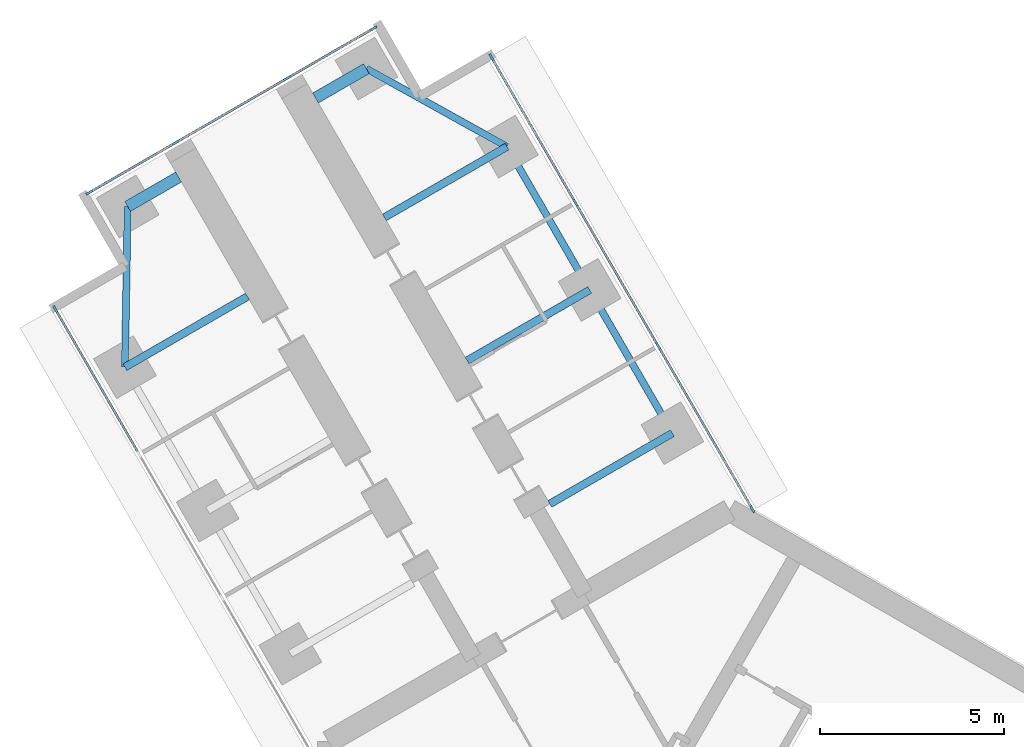
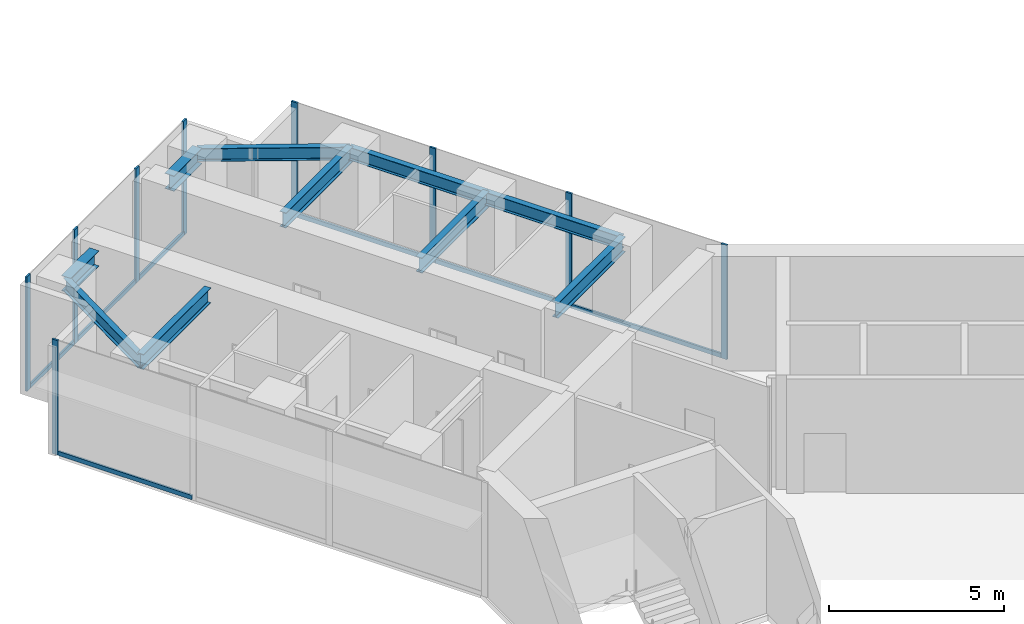
# One storey, part 6 of 23: 16 members, 10 beams, 3 elements without a shape of their own.
"""IFC4 building model written with IfcOpenShell, lengths in metres."""

import ifcopenshell
import ifcopenshell.guid

model = None  # the IFC model being written
_history = None  # IfcOwnerHistory: only IFC2X3 demands one
_inside = {}  # id of a spatial element -> (the spatial element, [elements in it])
_under = {}  # id of a project, library or spatial element -> (it, [spatial elements below it])
_declared = {}  # id of a project -> (the project, [libraries it declares])
_typed = {}  # id of a type object -> (the type object, [elements of that type])
_made_of = {}  # id of a material, layer set ... -> (it, [elements and type objects made of it])


def new_model(schema):
    """Start an empty IFC model of exactly this schema.

    Asked for "IFC4X3", IfcOpenShell would pick the latest addendum, in which some entities
    have other attributes; the version numbers below select the first issue.
    IFC2X3 requires an IfcOwnerHistory on every rooted entity: one is made here for all.
    """
    global model, _history
    if schema == "IFC4X3":
        model = ifcopenshell.file(schema_version=(4, 3, 0, 0))
    else:
        model = ifcopenshell.file(schema=schema)
    _inside.clear()
    _under.clear()
    _declared.clear()
    _typed.clear()
    _made_of.clear()
    _history = None
    if model.schema == "IFC2X3":
        org = make("IfcOrganization", Name="unknown")
        user = make(
            "IfcPersonAndOrganization",
            ThePerson=make("IfcPerson", FamilyName="unknown"),
            TheOrganization=org,
        )
        app = make(
            "IfcApplication",
            ApplicationDeveloper=org,
            Version="unknown",
            ApplicationFullName="unknown",
            ApplicationIdentifier="unknown",
        )
        _history = make(
            "IfcOwnerHistory",
            OwningUser=user,
            OwningApplication=app,
            ChangeAction="ADDED",
            CreationDate=0,
        )
    return model


def make(cls, **values):
    """One entity of the class cls with the attributes given. An attribute that is None is left unset."""
    return model.create_entity(
        cls, **{name: value for name, value in values.items() if value is not None}
    )


def rooted(cls, **values):
    """An entity with a GlobalId (a new one), such as an element, a storey or a relation."""
    return make(cls, GlobalId=ifcopenshell.guid.new(), OwnerHistory=_history, **values)


def si_unit(unit_type, name, prefix=None):
    """IfcSIUnit, for example si_unit("LENGTHUNIT", "METRE", prefix="MILLI")."""
    return make("IfcSIUnit", UnitType=unit_type, Prefix=prefix, Name=name)


def assignment(units):
    """IfcUnitAssignment: the units of a project."""
    return None if units is None else make("IfcUnitAssignment", Units=units)


def point(xyz):
    """IfcCartesianPoint."""
    return None if xyz is None else make("IfcCartesianPoint", Coordinates=xyz)


def direction(xyz):
    """IfcDirection."""
    return None if xyz is None else make("IfcDirection", DirectionRatios=xyz)


def frame(location, z_axis=None, x_axis=None):
    """IfcAxis2Placement3D, a coordinate frame: its origin and axes. An axis left out is left unset."""
    return make(
        "IfcAxis2Placement3D",
        Location=point(location),
        Axis=direction(z_axis),
        RefDirection=direction(x_axis),
    )


def frame_2d(location, x_axis=None):
    """IfcAxis2Placement2D, a coordinate frame in the plane: its origin and x axis."""
    return make(
        "IfcAxis2Placement2D", Location=point(location), RefDirection=direction(x_axis)
    )


def origin():
    """The frame at (0, 0, 0) with its axes left unset."""
    return frame((0.0, 0.0, 0.0))


def origin_2d():
    """The frame at (0, 0) in the plane with its x axis left unset."""
    return frame_2d((0.0, 0.0))


def place(relative_to, where):
    """IfcLocalPlacement: puts the frame where relative to a parent placement (None: the world)."""
    return make(
        "IfcLocalPlacement", PlacementRelTo=relative_to, RelativePlacement=where
    )


def context(
    kind, dimensions, precision=None, world=None, true_north=None, identifier=None
):
    """IfcGeometricRepresentationContext, for example the 3D "Model" context."""
    return make(
        "IfcGeometricRepresentationContext",
        ContextIdentifier=identifier,
        ContextType=kind,
        CoordinateSpaceDimension=dimensions,
        Precision=precision,
        WorldCoordinateSystem=world,
        TrueNorth=true_north,
    )


def subcontext(parent, identifier, kind, view, scale=None):
    """IfcGeometricRepresentationSubContext, for example "Body" below "Model"."""
    return make(
        "IfcGeometricRepresentationSubContext",
        ContextIdentifier=identifier,
        ContextType=kind,
        ParentContext=parent,
        TargetScale=scale,
        TargetView=view,
    )


def project(units=None, contexts=None):
    """IfcProject with its units and contexts."""
    return rooted(
        "IfcProject",
        Name="project",
        RepresentationContexts=contexts,
        UnitsInContext=assignment(units),
    )


def spatial(cls, under=None, at=None, **own):
    """A site, building, storey or space (cls), placed at a placement, below another one or the project."""
    s = rooted(cls, ObjectPlacement=at, **own)
    if under is not None:
        _under.setdefault(under.id(), (under, []))[1].append(s)
    return s


def profile(cls, at=None, kind="AREA", **sizes):
    """A parametric profile (cls). Its sizes go by their IFC names, for example OverallWidth=200.0."""
    return make(cls, ProfileType=kind, Position=at, **sizes)


def rectangle(**sizes):
    """IfcRectangleProfileDef."""
    return profile("IfcRectangleProfileDef", **sizes)


def i_section(**sizes):
    """IfcIShapeProfileDef."""
    return profile("IfcIShapeProfileDef", **sizes)


def extrude(swept, where, along, depth):
    """IfcExtrudedAreaSolid: the profile swept, set in the frame where, extruded along a direction by depth."""
    return make(
        "IfcExtrudedAreaSolid",
        SweptArea=swept,
        Position=where,
        ExtrudedDirection=direction(along),
        Depth=depth,
    )


def shape(context_of_items, identifier, shape_type, items):
    """IfcShapeRepresentation: the items that make up one representation, for example the "Body"."""
    return make(
        "IfcShapeRepresentation",
        ContextOfItems=context_of_items,
        RepresentationIdentifier=identifier,
        RepresentationType=shape_type,
        Items=items,
    )


def material(Name=None, Category=None):
    """IfcMaterial."""
    return make("IfcMaterial", Name=Name, Category=Category)


def material_profile(
    of_material, cross_section, Name=None, Category=None, Priority=None
):
    """IfcMaterialProfile: a cross section and its material."""
    return make(
        "IfcMaterialProfile",
        Name=Name,
        Material=of_material,
        Profile=cross_section,
        Priority=Priority,
        Category=Category,
    )


def profile_set(profiles, Name=None, composite=None):
    """IfcMaterialProfileSet."""
    return make(
        "IfcMaterialProfileSet",
        Name=Name,
        MaterialProfiles=profiles,
        CompositeProfile=composite,
    )


def made_of(thing, what):
    """Note that an element or type object is made of a material, layer set ...; save() writes the relation."""
    if what is not None:
        _made_of.setdefault(what.id(), (what, []))[1].append(thing)
    return thing


def type_object(cls, material=None, **own):
    """A type object (cls), such as IfcWallType, which elements share."""
    return made_of(rooted(cls, **own), material)


def element(
    cls,
    number,
    at=None,
    inside=None,
    cuts=None,
    type_object=None,
    material=None,
    context=None,
    identifier="Body",
    shape_type=None,
    held_by="IfcProductDefinitionShape",
    body=None,
    shapes=None,
    **own,
):
    """One element of the class cls, such as IfcWall. Its Tag is "e" and its number.

    at: its placement. inside: the storey or other place that contains it. cuts: it is an
    opening in that element (IfcRelVoidsElement). A single representation is given by context,
    identifier, shape_type and body (its items); several are given by shapes. held_by: the class
    of the entity that holds the representations. save() writes the other relations.
    """
    e = rooted(cls, Tag="e%d" % number, ObjectPlacement=at, **own)
    if body is not None:
        shapes = [shape(context, identifier, shape_type, body)]
    if shapes is not None:
        e.Representation = make(held_by, Representations=shapes)
    if inside is not None:
        _inside.setdefault(inside.id(), (inside, []))[1].append(e)
    if cuts is not None:
        rooted(
            "IfcRelVoidsElement", RelatingBuildingElement=cuts, RelatedOpeningElement=e
        )
    if type_object is not None:
        _typed.setdefault(type_object.id(), (type_object, []))[1].append(e)
    return made_of(e, material)


def aggregate(whole, parts):
    """IfcRelAggregates: a whole, such as a stair, and the parts it consists of."""
    return rooted("IfcRelAggregates", RelatingObject=whole, RelatedObjects=parts)


def save(model, path):
    """Write the relations noted so far, then the file.

    IfcRelAggregates (storeys below a building ...), IfcRelContainedInSpatialStructure (elements
    in a storey), IfcRelDefinesByType, IfcRelAssociatesMaterial and IfcRelDeclares: one each for
    every whole, place, type object, material and project.
    """
    for whole, parts in _under.values():
        aggregate(whole, parts)
    for where, things in _inside.values():
        rooted(
            "IfcRelContainedInSpatialStructure",
            RelatedElements=things,
            RelatingStructure=where,
        )
    for kind, things in _typed.values():
        rooted("IfcRelDefinesByType", RelatedObjects=things, RelatingType=kind)
    for what, things in _made_of.values():
        rooted("IfcRelAssociatesMaterial", RelatedObjects=things, RelatingMaterial=what)
    for by, libraries in _declared.values():
        rooted("IfcRelDeclares", RelatingContext=by, RelatedDefinitions=libraries)
    model.write(path)


model = new_model("IFC4")

# Units and contexts
model_context = context("Model", 3, precision=1e-05, world=origin(), true_north=direction((0.0, 1.0)))
body_context = subcontext(model_context, "Body", "Model", "MODEL_VIEW")
ifc_project = project(units=[si_unit("LENGTHUNIT", "METRE"), si_unit("AREAUNIT", "SQUARE_METRE"), si_unit("VOLUMEUNIT", "CUBIC_METRE"), si_unit("PLANEANGLEUNIT", "RADIAN"), si_unit("MASSUNIT", "GRAM", prefix="KILO")], contexts=[model_context])

# Site, building, storey
site_placement = place(None, origin())
site = spatial("IfcSite", under=ifc_project, at=site_placement, CompositionType="ELEMENT")
building_placement = place(site_placement, origin())
building = spatial("IfcBuilding", under=site, at=building_placement, Name="Upepo Twin Towers", CompositionType="ELEMENT")
storey_placement = place(building_placement, frame((0.0, 0.0, 145.5)))
storey = spatial("IfcBuildingStorey", under=building, at=storey_placement, Name="L35", CompositionType="ELEMENT", Elevation=145.5)

# Beams
ifc_material_1 = material(Name="Steel S355", Category="steel")
ifc_material_profile_1 = material_profile(ifc_material_1, i_section(OverallWidth=0.1904296875, OverallDepth=0.45703125, WebThickness=0.009033203125, FlangeThickness=0.014404296875, FilletRadius=0.01025390625, at=origin_2d()), Name="UB 457x191x74")
ifc_profile_set_1 = profile_set([ifc_material_profile_1], Name="Steel S355")
beam_type_1 = type_object("IfcBeamType", Name="Beam UB 457x191x74", PredefinedType="BEAM", material=ifc_profile_set_1)
beam_1_placement = place(storey_placement, frame((-16.446044921875, 16.485595703125, 3.571533203125), z_axis=(0.016803880528, 0.999858804832, 0.0), x_axis=(-0.999858804832, 0.016803880528, 0.0)))
element("IfcBeam", 1, at=beam_1_placement, inside=storey, type_object=beam_type_1, Name="T1 nose edge beam BL", PredefinedType="BEAM", context=body_context, shape_type="SweptSolid", body=[
    extrude(i_section(OverallWidth=0.1904296875, OverallDepth=0.45703125, WebThickness=0.009033203125, FlangeThickness=0.014404296875, FilletRadius=0.01025390625, at=origin_2d()), origin(), (0.0, 0.0, 1.0), 4.373291015625),
])
beam_2_placement = place(storey_placement, frame((-1.553955078125, 14.69140625, 3.571533203125), z_axis=(-0.500013631625, 0.866017533419, 0.0), x_axis=(-0.866017533419, -0.500013631625, 0.0)))
element("IfcBeam", 2, at=beam_2_placement, inside=storey, type_object=beam_type_1, Name="T1 edge beam BR 13.5-18.0", PredefinedType="BEAM", context=body_context, shape_type="SweptSolid", body=[
    extrude(i_section(OverallWidth=0.1904296875, OverallDepth=0.45703125, WebThickness=0.009033203125, FlangeThickness=0.014404296875, FilletRadius=0.01025390625, at=origin_2d()), origin(), (0.0, 0.0, 1.0), 4.499755859375),
])
beam_3_placement = place(storey_placement, frame((-3.803955078125, 18.58837890625, 3.571533203125), z_axis=(-0.499990139034, 0.866031096941, 0.0), x_axis=(-0.866031096941, -0.499990139034, 0.0)))
element("IfcBeam", 3, at=beam_3_placement, inside=storey, type_object=beam_type_1, Name="T1 edge beam BR 18.0-22.5", PredefinedType="BEAM", context=body_context, shape_type="SweptSolid", body=[
    extrude(i_section(OverallWidth=0.1904296875, OverallDepth=0.45703125, WebThickness=0.009033203125, FlangeThickness=0.014404296875, FilletRadius=0.01025390625, at=origin_2d()), origin(), (0.0, 0.0, 1.0), 4.5),
])
beam_4_placement = place(storey_placement, frame((-6.053955078125, 22.485595703125, 3.571533203125), z_axis=(-0.874312600038, 0.485363242752, 0.0), x_axis=(-0.485363242752, -0.874312600038, 0.0)))
element("IfcBeam", 4, at=beam_4_placement, inside=storey, type_object=beam_type_1, Name="T1 nose edge beam BR", PredefinedType="BEAM", context=body_context, shape_type="SweptSolid", body=[
    extrude(i_section(OverallWidth=0.1904296875, OverallDepth=0.45703125, WebThickness=0.009033203125, FlangeThickness=0.014404296875, FilletRadius=0.01025390625, at=origin_2d()), origin(), (0.0, 0.0, 1.0), 4.373046875),
])
ifc_material_2 = material(Name="Steel S355", Category="steel")
ifc_material_profile_2 = material_profile(ifc_material_2, i_section(OverallWidth=0.209228515625, OverallDepth=0.533203125, WebThickness=0.010009765625, FlangeThickness=0.015625, FilletRadius=0.0126953125, at=origin_2d()), Name="UB 533x210x92")
ifc_profile_set_2 = profile_set([ifc_material_profile_2], Name="Steel S355")
beam_type_2 = type_object("IfcBeamType", Name="Beam UB 533x210x92", PredefinedType="BEAM", material=ifc_profile_set_2)
for number, where, z_axis, x_axis, name in (
    (5, (-16.446044921875, 16.485595703125, 3.533447265625), (0.866006051527, 0.500033517596, 0.0), (-0.500033517596, 0.866006051527, 0.0), "T1 girder BL at 22.5"),
    (6, (-1.553955078125, 14.69140625, 3.533447265625), (-0.866006051527, -0.500033517596, 0.0), (0.500033517596, -0.866006051527, 0.0), "T1 girder BR at 13.5"),
):
    element("IfcBeam", number, at=place(storey_placement, frame(where, z_axis=z_axis, x_axis=x_axis)), inside=storey, type_object=beam_type_2, Name=name, PredefinedType="BEAM", context=body_context, shape_type="SweptSolid", body=[
        extrude(i_section(OverallWidth=0.209228515625, OverallDepth=0.533203125, WebThickness=0.010009765625, FlangeThickness=0.015625, FilletRadius=0.0126953125, at=origin_2d()), origin(), (0.0, 0.0, 1.0), 3.849853515625),
    ])
beam_5_placement = place(storey_placement, frame((-3.803955078125, 18.58837890625, 3.533447265625), z_axis=(-0.866033512162, -0.499985955615, 0.0), x_axis=(0.499985955615, -0.866033512162, 0.0)))
element("IfcBeam", 7, at=beam_5_placement, inside=storey, type_object=beam_type_2, Name="T1 girder BR at 18.0", PredefinedType="BEAM", context=body_context, shape_type="SweptSolid", body=[
    extrude(i_section(OverallWidth=0.209228515625, OverallDepth=0.533203125, WebThickness=0.010009765625, FlangeThickness=0.015625, FilletRadius=0.0126953125, at=origin_2d()), origin(), (0.0, 0.0, 1.0), 3.849609375),
])
beam_6_placement = place(storey_placement, frame((-6.053955078125, 22.485595703125, 3.533447265625), z_axis=(-0.866006051527, -0.500033517596, 0.0), x_axis=(0.500033517596, -0.866006051527, 0.0)))
element("IfcBeam", 8, at=beam_6_placement, inside=storey, type_object=beam_type_2, Name="T1 girder BR at 22.5", PredefinedType="BEAM", context=body_context, shape_type="SweptSolid", body=[
    extrude(i_section(OverallWidth=0.209228515625, OverallDepth=0.533203125, WebThickness=0.010009765625, FlangeThickness=0.015625, FilletRadius=0.0126953125, at=origin_2d()), origin(), (0.0, 0.0, 1.0), 3.849853515625),
])
ifc_material_3 = material(Name="Steel S355", Category="steel")
ifc_material_profile_3 = material_profile(ifc_material_3, i_section(OverallWidth=0.31201171875, OverallDepth=0.54345703125, WebThickness=0.0126953125, FlangeThickness=0.020263671875, FilletRadius=0.0126953125, at=origin_2d()), Name="UB 533x312x150")
ifc_profile_set_3 = profile_set([ifc_material_profile_3], Name="Steel S355")
beam_type_3 = type_object("IfcBeamType", Name="Beam UB 533x312x150", PredefinedType="BEAM", material=ifc_profile_set_3)
for number, where, z_axis, x_axis, name in (
    (9, (-16.37255859375, 20.858154296875, 3.5283203125), (0.865989903783, 0.500061482766, 0.0), (-0.500061482766, 0.865989903783, 0.0), "T1 nose beam BL"),
    (10, (-9.87744140625, 24.608154296875, 3.5283203125), (-0.865989903783, -0.500061482766, 0.0), (0.500061482766, -0.865989903783, 0.0), "T1 nose beam BR"),
):
    element("IfcBeam", number, at=place(storey_placement, frame(where, z_axis=z_axis, x_axis=x_axis)), inside=storey, type_object=beam_type_3, Name=name, PredefinedType="BEAM", context=body_context, shape_type="SweptSolid", body=[
        extrude(i_section(OverallWidth=0.31201171875, OverallDepth=0.54345703125, WebThickness=0.0126953125, FlangeThickness=0.020263671875, FilletRadius=0.0126953125, at=origin_2d()), origin(), (0.0, 0.0, 1.0), 1.599853515625),
    ])

# Curtain wall, member
ifc_material_4 = material(Name="Aluminium and fritted glass", Category="aluminium")
curtain_wall_type = type_object("IfcCurtainWallType", Name="Tower curtain wall TW2, fritted glass", PredefinedType="NOTDEFINED", material=ifc_material_4)
curtain_wall_1_placement = place(storey_placement, origin())
curtain_wall_1 = element("IfcCurtainWall", 11, at=curtain_wall_1_placement, inside=storey, type_object=curtain_wall_type, Name="T1 L35 wing B flank L curtain wall", PredefinedType="NOTDEFINED")
ifc_material_5 = material(Name="Aluminium mullion", Category="aluminium")
ifc_material_profile_4 = material_profile(ifc_material_5, rectangle(XDim=0.06494140625, YDim=0.199951171875, at=origin_2d()), Name="MULLION 65x200")
ifc_profile_set_4 = profile_set([ifc_material_profile_4], Name="Aluminium mullion")
member_type_1 = type_object("IfcMemberType", Name="Mullion 65x200 TW2", PredefinedType="MULLION", material=ifc_profile_set_4)
member_1_placement = place(storey_placement, frame((-18.341064453125, 18.067626953125, 0.0), z_axis=(0.0, 0.0, 1.0), x_axis=(-0.866025397833, -0.500000010308, 0.0)))
member_1 = element("IfcMember", 12, at=member_1_placement, type_object=member_type_1, Name="T1 L35 wing B flank L curtain wall mullion 4", PredefinedType="MULLION", context=body_context, shape_type="SweptSolid", body=[
    extrude(rectangle(XDim=0.06494140625, YDim=0.199951171875, at=origin_2d()), origin(), (0.0, 0.0, 1.0), 4.0),
])

# Curtain wall, members
curtain_wall_2_placement = place(storey_placement, origin())
curtain_wall_2 = element("IfcCurtainWall", 13, at=curtain_wall_2_placement, inside=storey, type_object=curtain_wall_type, Name="T1 L35 wing B flank R curtain wall", PredefinedType="NOTDEFINED")
member_2_placement = place(storey_placement, frame((-6.4765625, 24.91748046875, 0.0), z_axis=(0.0, 0.0, 1.0), x_axis=(0.866025397833, 0.500000010308, 0.0)))
member_2 = element("IfcMember", 14, at=member_2_placement, type_object=member_type_1, Name="T1 L35 wing B flank R curtain wall mullion 1", PredefinedType="MULLION", context=body_context, shape_type="SweptSolid", body=[
    extrude(rectangle(XDim=0.06494140625, YDim=0.199951171875, at=origin_2d()), origin(), (0.0, 0.0, 1.0), 4.0),
])
member_3_placement = place(storey_placement, frame((-4.192626953125, 20.9619140625, 0.0), z_axis=(0.0, 0.0, 1.0), x_axis=(0.866025397833, 0.500000010308, 0.0)))
member_3 = element("IfcMember", 15, at=member_3_placement, type_object=member_type_1, Name="T1 L35 wing B flank R curtain wall mullion 2", PredefinedType="MULLION", context=body_context, shape_type="SweptSolid", body=[
    extrude(rectangle(XDim=0.06494140625, YDim=0.199951171875, at=origin_2d()), origin(), (0.0, 0.0, 1.0), 4.0),
])
member_4_placement = place(storey_placement, frame((-1.942626953125, 17.06494140625, 0.0), z_axis=(0.0, 0.0, 1.0), x_axis=(0.866025397833, 0.500000010308, 0.0)))
member_4 = element("IfcMember", 16, at=member_4_placement, type_object=member_type_1, Name="T1 L35 wing B flank R curtain wall mullion 3", PredefinedType="MULLION", context=body_context, shape_type="SweptSolid", body=[
    extrude(rectangle(XDim=0.06494140625, YDim=0.199951171875, at=origin_2d()), origin(), (0.0, 0.0, 1.0), 4.0),
])
member_5_placement = place(storey_placement, frame((0.62255859375, 12.621826171875, 0.0), z_axis=(0.0, 0.0, 1.0), x_axis=(0.866025397833, 0.500000010308, 0.0)))
member_5 = element("IfcMember", 17, at=member_5_placement, type_object=member_type_1, Name="T1 L35 wing B flank R curtain wall mullion 4", PredefinedType="MULLION", context=body_context, shape_type="SweptSolid", body=[
    extrude(rectangle(XDim=0.06494140625, YDim=0.199951171875, at=origin_2d()), origin(), (0.0, 0.0, 1.0), 4.0),
])

curtain_wall_3_placement = place(storey_placement, origin())
curtain_wall_3 = element("IfcCurtainWall", 18, at=curtain_wall_3_placement, inside=storey, type_object=curtain_wall_type, Name="T1 L35 wing B nose curtain wall", PredefinedType="NOTDEFINED")
member_6_placement = place(storey_placement, frame((-9.68115234375, 25.703125, 0.0), z_axis=(0.0, 0.0, 1.0), x_axis=(0.500000030502, -0.866025386174, 0.0)))
member_6 = element("IfcMember", 19, at=member_6_placement, type_object=member_type_1, Name="T1 L35 wing B nose curtain wall mullion 1", PredefinedType="MULLION", context=body_context, shape_type="SweptSolid", body=[
    extrude(rectangle(XDim=0.06494140625, YDim=0.199951171875, at=origin_2d()), origin(), (0.0, 0.0, 1.0), 4.0),
])
member_7_placement = place(storey_placement, frame((-12.034423828125, 24.34423828125, 0.0), z_axis=(0.0, 0.0, 1.0), x_axis=(0.500000030502, -0.866025386174, 0.0)))
member_7 = element("IfcMember", 20, at=member_7_placement, type_object=member_type_1, Name="T1 L35 wing B nose curtain wall mullion 2", PredefinedType="MULLION", context=body_context, shape_type="SweptSolid", body=[
    extrude(rectangle(XDim=0.06494140625, YDim=0.199951171875, at=origin_2d()), origin(), (0.0, 0.0, 1.0), 4.0),
])
member_8_placement = place(storey_placement, frame((-15.0654296875, 22.59423828125, 0.0), z_axis=(0.0, 0.0, 1.0), x_axis=(0.500000030502, -0.866025386174, 0.0)))
member_8 = element("IfcMember", 21, at=member_8_placement, type_object=member_type_1, Name="T1 L35 wing B nose curtain wall mullion 3", PredefinedType="MULLION", context=body_context, shape_type="SweptSolid", body=[
    extrude(rectangle(XDim=0.06494140625, YDim=0.199951171875, at=origin_2d()), origin(), (0.0, 0.0, 1.0), 4.0),
])
member_9_placement = place(storey_placement, frame((-17.4189453125, 21.235595703125, 0.0), z_axis=(0.0, 0.0, 1.0), x_axis=(0.500000030502, -0.866025386174, 0.0)))
member_9 = element("IfcMember", 22, at=member_9_placement, type_object=member_type_1, Name="T1 L35 wing B nose curtain wall mullion 4", PredefinedType="MULLION", context=body_context, shape_type="SweptSolid", body=[
    extrude(rectangle(XDim=0.06494140625, YDim=0.199951171875, at=origin_2d()), origin(), (0.0, 0.0, 1.0), 4.0),
])

# Member
ifc_material_6 = material(Name="Aluminium transom", Category="aluminium")
ifc_material_profile_5 = material_profile(ifc_material_6, rectangle(XDim=0.06494140625, YDim=0.14990234375, at=origin_2d()), Name="TRANSOM 65x150")
ifc_profile_set_5 = profile_set([ifc_material_profile_5], Name="Aluminium transom")
member_type_2 = type_object("IfcMemberType", Name="Transom 65x150 TW2", PredefinedType="USERDEFINED", material=ifc_profile_set_5)
member_10_placement = place(storey_placement, frame((-16.073486328125, 14.14013671875, 0.074951171875), z_axis=(-0.499982167615, 0.866035699072, 0.0), x_axis=(-0.866035699072, -0.499982167615, 0.0)))
member_10 = element("IfcMember", 23, at=member_10_placement, type_object=member_type_2, Name="T1 L35 wing B flank L curtain wall transom 3", ObjectType="TRANSOM", PredefinedType="USERDEFINED", context=body_context, shape_type="SweptSolid", body=[
    extrude(rectangle(XDim=0.06494140625, YDim=0.14990234375, at=origin_2d()), origin(), (0.0, 0.0, 1.0), 4.502685546875),
])

aggregate(curtain_wall_1, [member_1, member_10])

member_11_placement = place(storey_placement, frame((-6.460205078125, 24.889404296875, 0.074951171875), z_axis=(0.500005646842, -0.866022143554, 0.0), x_axis=(0.866022143554, 0.500005646842, 0.0)))
member_11 = element("IfcMember", 24, at=member_11_placement, type_object=member_type_2, Name="T1 L35 wing B flank R curtain wall transom 1", ObjectType="TRANSOM", PredefinedType="USERDEFINED", context=body_context, shape_type="SweptSolid", body=[
    extrude(rectangle(XDim=0.06494140625, YDim=0.14990234375, at=origin_2d()), origin(), (0.0, 0.0, 1.0), 4.50244140625),
])

member_12_placement = place(storey_placement, frame((-4.176513671875, 20.933837890625, 0.074951171875), z_axis=(0.500005184116, -0.866022410713, 0.0), x_axis=(0.866022410713, 0.500005184116, 0.0)))
member_12 = element("IfcMember", 25, at=member_12_placement, type_object=member_type_2, Name="T1 L35 wing B flank R curtain wall transom 2", ObjectType="TRANSOM", PredefinedType="USERDEFINED", context=body_context, shape_type="SweptSolid", body=[
    extrude(rectangle(XDim=0.06494140625, YDim=0.14990234375, at=origin_2d()), origin(), (0.0, 0.0, 1.0), 4.43505859375),
])

member_13_placement = place(storey_placement, frame((-1.926513671875, 17.036865234375, 0.074951171875), z_axis=(0.499985288567, -0.866033897268, 0.0), x_axis=(0.866033897268, 0.499985288567, 0.0)))
member_13 = element("IfcMember", 26, at=member_13_placement, type_object=member_type_2, Name="T1 L35 wing B flank R curtain wall transom 3", ObjectType="TRANSOM", PredefinedType="USERDEFINED", context=body_context, shape_type="SweptSolid", body=[
    extrude(rectangle(XDim=0.06494140625, YDim=0.14990234375, at=origin_2d()), origin(), (0.0, 0.0, 1.0), 5.065673828125),
])

aggregate(curtain_wall_2, [member_2, member_3, member_4, member_5, member_11, member_12, member_13])

member_14_placement = place(storey_placement, frame((-9.709228515625, 25.686767578125, 0.074951171875), z_axis=(-0.866036909293, -0.499980071345, 0.0), x_axis=(0.499980071345, -0.866036909293, 0.0)))
member_14 = element("IfcMember", 27, at=member_14_placement, type_object=member_type_2, Name="T1 L35 wing B nose curtain wall transom 1", ObjectType="TRANSOM", PredefinedType="USERDEFINED", context=body_context, shape_type="SweptSolid", body=[
    extrude(rectangle(XDim=0.06494140625, YDim=0.14990234375, at=origin_2d()), origin(), (0.0, 0.0, 1.0), 2.65234375),
])

member_15_placement = place(storey_placement, frame((-12.0625, 24.328125, 0.074951171875), z_axis=(-0.866025804792, -0.499999305434, 0.0), x_axis=(0.499999305434, -0.866025804792, 0.0)))
member_15 = element("IfcMember", 28, at=member_15_placement, type_object=member_type_2, Name="T1 L35 wing B nose curtain wall transom 2", ObjectType="TRANSOM", PredefinedType="USERDEFINED", context=body_context, shape_type="SweptSolid", body=[
    extrude(rectangle(XDim=0.06494140625, YDim=0.14990234375, at=origin_2d()), origin(), (0.0, 0.0, 1.0), 3.43505859375),
])

member_16_placement = place(storey_placement, frame((-15.09375, 22.578125, 0.074951171875), z_axis=(-0.865997053448, -0.500049101008, 0.0), x_axis=(0.500049101008, -0.865997053448, 0.0)))
member_16 = element("IfcMember", 29, at=member_16_placement, type_object=member_type_2, Name="T1 L35 wing B nose curtain wall transom 3", ObjectType="TRANSOM", PredefinedType="USERDEFINED", context=body_context, shape_type="SweptSolid", body=[
    extrude(rectangle(XDim=0.06494140625, YDim=0.14990234375, at=origin_2d()), origin(), (0.0, 0.0, 1.0), 2.652587890625),
])

aggregate(curtain_wall_3, [member_6, member_7, member_8, member_9, member_14, member_15, member_16])

save(model, "model.ifc")
